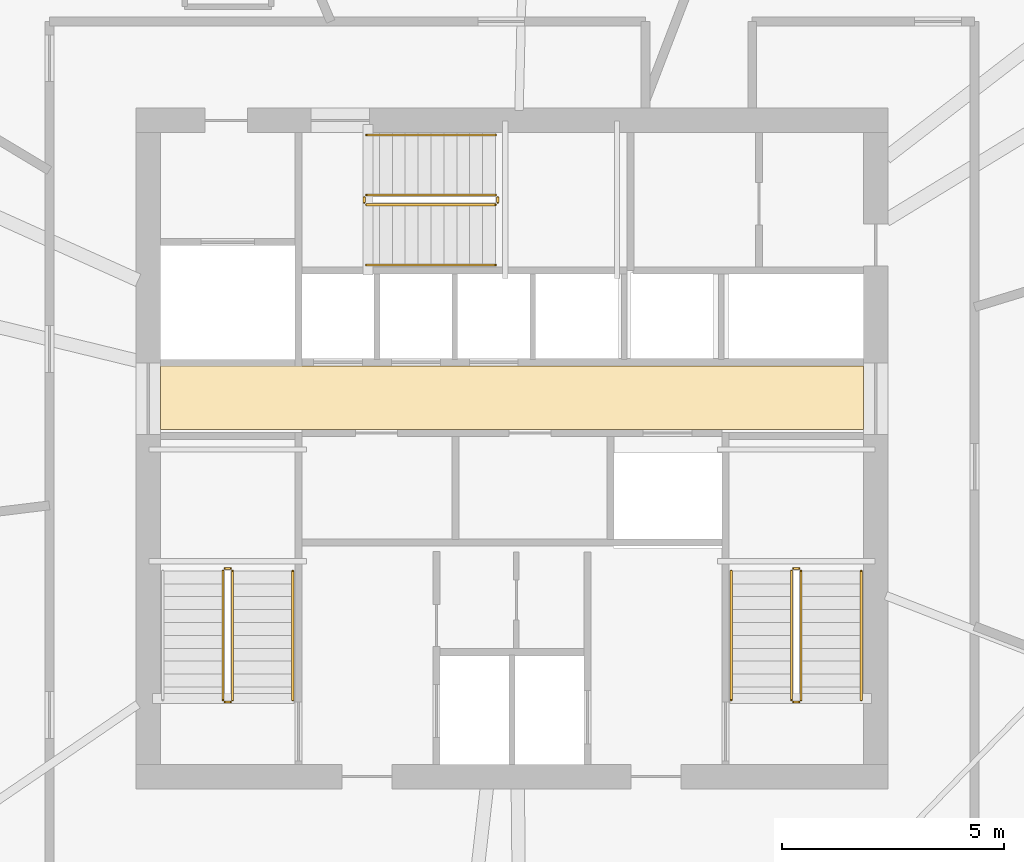
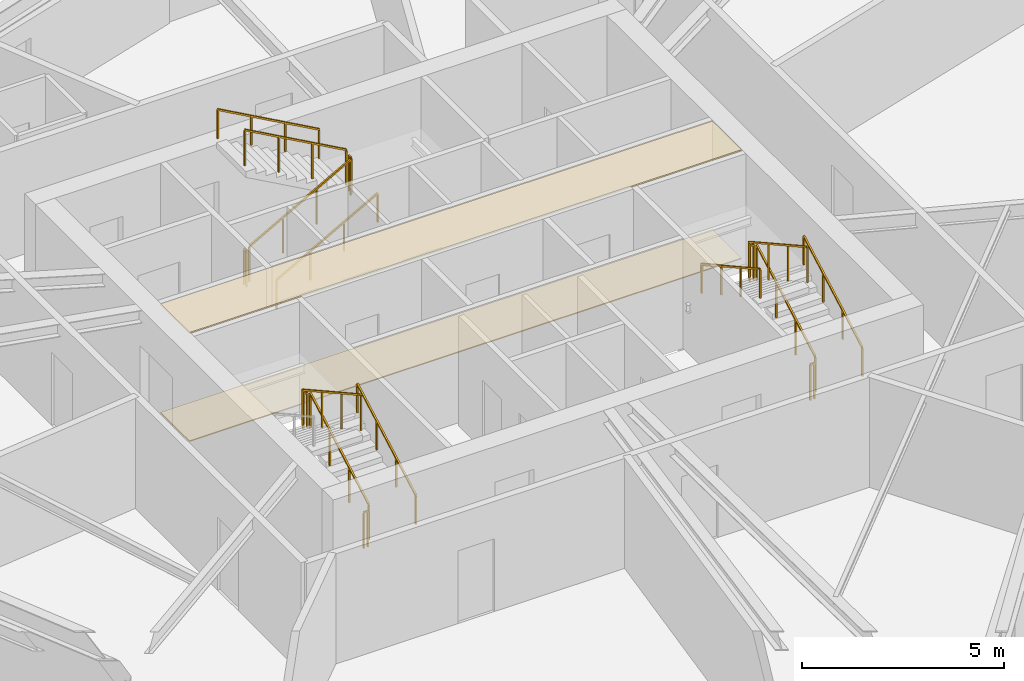
# One storey, part 12 of 13: 17 railings, 2 coverings.
"""IFC4 building model written with IfcOpenShell, lengths in metres."""

from ifc_helpers import new_model, si_unit, direction, frame, origin, origin_2d, place, context, subcontext, project, spatial, polyline, rectangle, outline, extrude, material, layer, layer_set, type_object, element, save


model = new_model("IFC4")

# Units and contexts
model_context = context("Model", 3, precision=1e-05, world=origin(), true_north=direction((0.0, 1.0)))
body_context = subcontext(model_context, "Body", "Model", "MODEL_VIEW")
ifc_project = project(units=[si_unit("LENGTHUNIT", "METRE"), si_unit("AREAUNIT", "SQUARE_METRE"), si_unit("VOLUMEUNIT", "CUBIC_METRE"), si_unit("PLANEANGLEUNIT", "RADIAN"), si_unit("MASSUNIT", "GRAM", prefix="KILO")], contexts=[model_context])

# Site, building, storey
site_placement = place(None, origin())
site = spatial("IfcSite", under=ifc_project, at=site_placement, CompositionType="ELEMENT")
building_placement = place(site_placement, origin())
building = spatial("IfcBuilding", under=site, at=building_placement, Name="Olszyna Solenne Hotel", CompositionType="ELEMENT")
storey_placement = place(building_placement, frame((0.0, 0.0, 171.449951171875)))
storey = spatial("IfcBuildingStorey", under=building, at=storey_placement, Name="L45", CompositionType="ELEMENT", Elevation=171.449951171875)

# Coverings
ifc_material_1 = material(Name="Mineral wool acoustic ceiling")
ifc_layer_1 = layer(ifc_material_1, 0.0400390625, Name="Mineral wool acoustic ceiling")
ifc_layer_set_1 = layer_set([ifc_layer_1], Name="Mineral wool acoustic ceiling")
covering_type_1 = type_object("IfcCoveringType", Name="CL-AC1", PredefinedType="CEILING", material=ifc_layer_set_1)
covering_1_placement = place(storey_placement, frame((0.0, 0.0, 3.27001953125)))
element("IfcCovering", 1, at=covering_1_placement, inside=storey, type_object=covering_type_1, Name="Lift lobby acoustic tile ceiling CL-L45-01", PredefinedType="CEILING", context=body_context, shape_type="SweptSolid", body=[
    extrude(outline(polyline([(30.10009765625, 27.030029296875), (45.89990234375, 27.030029296875), (45.89990234375, 28.4599609375), (30.10009765625, 28.4599609375), (30.10009765625, 27.030029296875)])), origin(), (0.0, 0.0, 1.0), 0.0400390625),
])
ifc_material_2 = material(Name="Ceramic floor tile")
ifc_layer_2 = layer(ifc_material_2, 0.030029296875, Name="Ceramic floor tile")
ifc_layer_set_2 = layer_set([ifc_layer_2], Name="Ceramic floor tile")
covering_type_2 = type_object("IfcCoveringType", Name="FL-TL1", PredefinedType="FLOORING", material=ifc_layer_set_2)
covering_2_placement = place(storey_placement, origin())
element("IfcCovering", 2, at=covering_2_placement, inside=storey, type_object=covering_type_2, Name="Lift lobby stoneware floor finish FLR-L45-01", PredefinedType="FLOORING", context=body_context, shape_type="SweptSolid", body=[
    extrude(outline(polyline([(30.10009765625, 27.030029296875), (45.89990234375, 27.030029296875), (45.89990234375, 28.4599609375), (30.10009765625, 28.4599609375), (30.10009765625, 27.030029296875)])), origin(), (0.0, 0.0, 1.0), 0.030029296875),
])

# Railings
ifc_material_3 = material(Name="Anodised bronze aluminium", Category="aluminium")
railing_type_1 = type_object("IfcRailingType", Name="GR-110", PredefinedType="BALUSTRADE", material=ifc_material_3)
railing_1_placement = place(storey_placement, frame((31.719970703125, 20.949951171875, 0.161376953125)))
element("IfcRailing", 3, at=railing_1_placement, inside=storey, type_object=railing_type_1, Name="L45 ST1 stair guard 1", PredefinedType="BALUSTRADE", context=body_context, shape_type="SweptSolid", body=[
    extrude(rectangle(XDim=0.048095703125, YDim=0.048095703125, at=origin_2d()), frame((0.0, 0.0, 1.076171875), z_axis=(0.0, 0.873827439584, 0.48623616261), x_axis=(-1.0, 0.0, 0.0)), (0.0, 0.0, 1.0), 3.31884765625),
    extrude(rectangle(XDim=0.0419921875, YDim=0.0419921875, at=origin_2d()), origin(), (0.0, 0.0, 1.0), 1.052001953125),
    extrude(rectangle(XDim=0.0419921875, YDim=0.0419921875, at=origin_2d()), frame((0.0, 0.966796875, 0.537841796875)), (0.0, 0.0, 1.0), 1.052001953125),
    extrude(rectangle(XDim=0.0419921875, YDim=0.0419921875, at=origin_2d()), frame((0.0, 1.933349609375, 1.075927734375)), (0.0, 0.0, 1.0), 1.052001953125),
    extrude(rectangle(XDim=0.0419921875, YDim=0.0419921875, at=origin_2d()), frame((0.0, 2.900146484375, 1.61376953125)), (0.0, 0.0, 1.0), 1.052001953125),
])
railing_2_placement = place(storey_placement, frame((31.669921875, 23.89990234375, 1.775146484375)))
element("IfcRailing", 4, at=railing_2_placement, inside=storey, type_object=railing_type_1, Name="L45 ST1 stair guard 2", PredefinedType="BALUSTRADE", context=body_context, shape_type="SweptSolid", body=[
    extrude(rectangle(XDim=0.048095703125, YDim=0.048095703125, at=origin_2d()), frame((0.0, 0.0, 1.076171875), z_axis=(-1.0, 0.0, 0.0), x_axis=(0.0, -1.0, 0.0)), (0.0, 0.0, 1.0), 0.119873046875),
    extrude(rectangle(XDim=0.0419921875, YDim=0.0419921875, at=origin_2d()), origin(), (0.0, 0.0, 1.0), 1.052001953125),
    extrude(rectangle(XDim=0.0419921875, YDim=0.0419921875, at=origin_2d()), frame((-0.119873046875, 0.0, 0.0)), (0.0, 0.0, 1.0), 1.052001953125),
])
railing_3_placement = place(storey_placement, frame((31.5, 23.85009765625, 1.9365234375)))
element("IfcRailing", 5, at=railing_3_placement, inside=storey, type_object=railing_type_1, Name="L45 ST1 stair guard 3", PredefinedType="BALUSTRADE", context=body_context, shape_type="SweptSolid", body=[
    extrude(rectangle(XDim=0.048095703125, YDim=0.048095703125, at=origin_2d()), frame((0.0, 0.0, 1.076171875), z_axis=(0.0, -0.873858693841, 0.486179990537), x_axis=(1.0, 0.0, 0.0)), (0.0, 0.0, 1.0), 3.31884765625),
    extrude(rectangle(XDim=0.0419921875, YDim=0.0419921875, at=origin_2d()), origin(), (0.0, 0.0, 1.0), 1.052001953125),
    extrude(rectangle(XDim=0.0419921875, YDim=0.0419921875, at=origin_2d()), frame((0.0, -0.966796875, 0.537841796875)), (0.0, 0.0, 1.0), 1.052001953125),
    extrude(rectangle(XDim=0.0419921875, YDim=0.0419921875, at=origin_2d()), frame((0.0, -1.933349609375, 1.07568359375)), (0.0, 0.0, 1.0), 1.052001953125),
    extrude(rectangle(XDim=0.0419921875, YDim=0.0419921875, at=origin_2d()), frame((0.0, -2.900146484375, 1.613525390625)), (0.0, 0.0, 1.0), 1.052001953125),
])
railing_4_placement = place(storey_placement, frame((31.669921875, 20.89990234375, 0.0)))
element("IfcRailing", 6, at=railing_4_placement, inside=storey, type_object=railing_type_1, Name="L45 ST1 stair guard 4", PredefinedType="BALUSTRADE", context=body_context, shape_type="SweptSolid", body=[
    extrude(rectangle(XDim=0.048095703125, YDim=0.048095703125, at=origin_2d()), frame((0.0, 0.0, 1.076171875), z_axis=(-1.0, 0.0, 0.0), x_axis=(0.0, -1.0, 0.0)), (0.0, 0.0, 1.0), 0.119873046875),
    extrude(rectangle(XDim=0.0419921875, YDim=0.0419921875, at=origin_2d()), origin(), (0.0, 0.0, 1.0), 1.052001953125),
    extrude(rectangle(XDim=0.0419921875, YDim=0.0419921875, at=origin_2d()), frame((-0.119873046875, 0.0, 0.0)), (0.0, 0.0, 1.0), 1.052001953125),
])
railing_5_placement = place(storey_placement, frame((44.5, 20.949951171875, 0.161376953125)))
element("IfcRailing", 7, at=railing_5_placement, inside=storey, type_object=railing_type_1, Name="L45 ST2 stair guard 1", PredefinedType="BALUSTRADE", context=body_context, shape_type="SweptSolid", body=[
    extrude(rectangle(XDim=0.048095703125, YDim=0.048095703125, at=origin_2d()), frame((0.0, 0.0, 1.076171875), z_axis=(0.0, 0.873827439584, 0.48623616261), x_axis=(-1.0, 0.0, 0.0)), (0.0, 0.0, 1.0), 3.31884765625),
    extrude(rectangle(XDim=0.0419921875, YDim=0.0419921875, at=origin_2d()), origin(), (0.0, 0.0, 1.0), 1.052001953125),
    extrude(rectangle(XDim=0.0419921875, YDim=0.0419921875, at=origin_2d()), frame((0.0, 0.966796875, 0.537841796875)), (0.0, 0.0, 1.0), 1.052001953125),
    extrude(rectangle(XDim=0.0419921875, YDim=0.0419921875, at=origin_2d()), frame((0.0, 1.933349609375, 1.075927734375)), (0.0, 0.0, 1.0), 1.052001953125),
    extrude(rectangle(XDim=0.0419921875, YDim=0.0419921875, at=origin_2d()), frame((0.0, 2.900146484375, 1.61376953125)), (0.0, 0.0, 1.0), 1.052001953125),
])
railing_6_placement = place(storey_placement, frame((44.449951171875, 23.89990234375, 1.775146484375)))
element("IfcRailing", 8, at=railing_6_placement, inside=storey, type_object=railing_type_1, Name="L45 ST2 stair guard 2", PredefinedType="BALUSTRADE", context=body_context, shape_type="SweptSolid", body=[
    extrude(rectangle(XDim=0.048095703125, YDim=0.048095703125, at=origin_2d()), frame((0.0, 0.0, 1.076171875), z_axis=(-1.0, 0.0, 0.0), x_axis=(0.0, -1.0, 0.0)), (0.0, 0.0, 1.0), 0.119873046875),
    extrude(rectangle(XDim=0.0419921875, YDim=0.0419921875, at=origin_2d()), origin(), (0.0, 0.0, 1.0), 1.052001953125),
    extrude(rectangle(XDim=0.0419921875, YDim=0.0419921875, at=origin_2d()), frame((-0.119873046875, 0.0, 0.0)), (0.0, 0.0, 1.0), 1.052001953125),
])
railing_7_placement = place(storey_placement, frame((44.280029296875, 23.85009765625, 1.9365234375)))
element("IfcRailing", 9, at=railing_7_placement, inside=storey, type_object=railing_type_1, Name="L45 ST2 stair guard 3", PredefinedType="BALUSTRADE", context=body_context, shape_type="SweptSolid", body=[
    extrude(rectangle(XDim=0.048095703125, YDim=0.048095703125, at=origin_2d()), frame((0.0, 0.0, 1.076171875), z_axis=(0.0, -0.873858693841, 0.486179990537), x_axis=(1.0, 0.0, 0.0)), (0.0, 0.0, 1.0), 3.31884765625),
    extrude(rectangle(XDim=0.0419921875, YDim=0.0419921875, at=origin_2d()), origin(), (0.0, 0.0, 1.0), 1.052001953125),
    extrude(rectangle(XDim=0.0419921875, YDim=0.0419921875, at=origin_2d()), frame((0.0, -0.966796875, 0.537841796875)), (0.0, 0.0, 1.0), 1.052001953125),
    extrude(rectangle(XDim=0.0419921875, YDim=0.0419921875, at=origin_2d()), frame((0.0, -1.933349609375, 1.07568359375)), (0.0, 0.0, 1.0), 1.052001953125),
    extrude(rectangle(XDim=0.0419921875, YDim=0.0419921875, at=origin_2d()), frame((0.0, -2.900146484375, 1.613525390625)), (0.0, 0.0, 1.0), 1.052001953125),
])
railing_8_placement = place(storey_placement, frame((44.449951171875, 20.89990234375, 0.0)))
element("IfcRailing", 10, at=railing_8_placement, inside=storey, type_object=railing_type_1, Name="L45 ST2 stair guard 4", PredefinedType="BALUSTRADE", context=body_context, shape_type="SweptSolid", body=[
    extrude(rectangle(XDim=0.048095703125, YDim=0.048095703125, at=origin_2d()), frame((0.0, 0.0, 1.076171875), z_axis=(-1.0, 0.0, 0.0), x_axis=(0.0, -1.0, 0.0)), (0.0, 0.0, 1.0), 0.119873046875),
    extrude(rectangle(XDim=0.0419921875, YDim=0.0419921875, at=origin_2d()), origin(), (0.0, 0.0, 1.0), 1.052001953125),
    extrude(rectangle(XDim=0.0419921875, YDim=0.0419921875, at=origin_2d()), frame((-0.119873046875, 0.0, 0.0)), (0.0, 0.0, 1.0), 1.052001953125),
])
railing_9_placement = place(storey_placement, frame((34.72998046875, 32.080078125, 0.161376953125)))
element("IfcRailing", 11, at=railing_9_placement, inside=storey, type_object=railing_type_1, Name="L45 ST3 stair guard 1", PredefinedType="BALUSTRADE", context=body_context, shape_type="SweptSolid", body=[
    extrude(rectangle(XDim=0.048095703125, YDim=0.048095703125, at=origin_2d()), frame((0.0, 0.0, 1.076171875), z_axis=(0.873810046276, 0.0, 0.486267419253), x_axis=(0.0, 1.0, 0.0)), (0.0, 0.0, 1.0), 3.318603515625),
    extrude(rectangle(XDim=0.0419921875, YDim=0.0419921875, at=origin_2d()), origin(), (0.0, 0.0, 1.0), 1.052001953125),
    extrude(rectangle(XDim=0.0419921875, YDim=0.0419921875, at=origin_2d()), frame((0.966552734375, 0.0, 0.537841796875)), (0.0, 0.0, 1.0), 1.052001953125),
    extrude(rectangle(XDim=0.0419921875, YDim=0.0419921875, at=origin_2d()), frame((1.933349609375, 0.0, 1.075927734375)), (0.0, 0.0, 1.0), 1.052001953125),
    extrude(rectangle(XDim=0.0419921875, YDim=0.0419921875, at=origin_2d()), frame((2.89990234375, 0.0, 1.61376953125)), (0.0, 0.0, 1.0), 1.052001953125),
])
railing_10_placement = place(storey_placement, frame((37.679931640625, 32.1298828125, 1.775146484375)))
element("IfcRailing", 12, at=railing_10_placement, inside=storey, type_object=railing_type_1, Name="L45 ST3 stair guard 2", PredefinedType="BALUSTRADE", context=body_context, shape_type="SweptSolid", body=[
    extrude(rectangle(XDim=0.048095703125, YDim=0.048095703125, at=origin_2d()), frame((0.0, 0.0, 1.076171875), z_axis=(0.0, 1.0, 0.0), x_axis=(-1.0, 0.0, 0.0)), (0.0, 0.0, 1.0), 0.1201171875),
    extrude(rectangle(XDim=0.0419921875, YDim=0.0419921875, at=origin_2d()), origin(), (0.0, 0.0, 1.0), 1.052001953125),
    extrude(rectangle(XDim=0.0419921875, YDim=0.0419921875, at=origin_2d()), frame((0.0, 0.1201171875, 0.0)), (0.0, 0.0, 1.0), 1.052001953125),
])
railing_11_placement = place(storey_placement, frame((37.6298828125, 32.300048828125, 1.9365234375)))
element("IfcRailing", 13, at=railing_11_placement, inside=storey, type_object=railing_type_1, Name="L45 ST3 stair guard 3", PredefinedType="BALUSTRADE", context=body_context, shape_type="SweptSolid", body=[
    extrude(rectangle(XDim=0.048095703125, YDim=0.048095703125, at=origin_2d()), frame((0.0, 0.0, 1.076171875), z_axis=(-0.873841303929, 0.0, 0.486211245805), x_axis=(0.0, -1.0, 0.0)), (0.0, 0.0, 1.0), 3.318603515625),
    extrude(rectangle(XDim=0.0419921875, YDim=0.0419921875, at=origin_2d()), origin(), (0.0, 0.0, 1.0), 1.052001953125),
    extrude(rectangle(XDim=0.0419921875, YDim=0.0419921875, at=origin_2d()), frame((-0.966552734375, 0.0, 0.537841796875)), (0.0, 0.0, 1.0), 1.052001953125),
    extrude(rectangle(XDim=0.0419921875, YDim=0.0419921875, at=origin_2d()), frame((-1.933349609375, 0.0, 1.07568359375)), (0.0, 0.0, 1.0), 1.052001953125),
    extrude(rectangle(XDim=0.0419921875, YDim=0.0419921875, at=origin_2d()), frame((-2.89990234375, 0.0, 1.613525390625)), (0.0, 0.0, 1.0), 1.052001953125),
])
railing_12_placement = place(storey_placement, frame((34.679931640625, 32.1298828125, 0.0)))
element("IfcRailing", 14, at=railing_12_placement, inside=storey, type_object=railing_type_1, Name="L45 ST3 stair guard 4", PredefinedType="BALUSTRADE", context=body_context, shape_type="SweptSolid", body=[
    extrude(rectangle(XDim=0.048095703125, YDim=0.048095703125, at=origin_2d()), frame((0.0, 0.0, 1.076171875), z_axis=(0.0, 1.0, 0.0), x_axis=(-1.0, 0.0, 0.0)), (0.0, 0.0, 1.0), 0.1201171875),
    extrude(rectangle(XDim=0.0419921875, YDim=0.0419921875, at=origin_2d()), origin(), (0.0, 0.0, 1.0), 1.052001953125),
    extrude(rectangle(XDim=0.0419921875, YDim=0.0419921875, at=origin_2d()), frame((0.0, 0.1201171875, 0.0)), (0.0, 0.0, 1.0), 1.052001953125),
])
ifc_material_4 = material(Name="Steel S355J2", Category="steel")
railing_type_2 = type_object("IfcRailingType", Name="HR-090", PredefinedType="HANDRAIL", material=ifc_material_4)
for number, where, name in (
    (15, (33.070068359375, 20.949951171875, 0.161376953125), "L45 ST1 stair handrail 1"),
    (16, (45.85009765625, 20.949951171875, 0.161376953125), "L45 ST2 stair handrail 1"),
):
    element("IfcRailing", number, at=place(storey_placement, frame(where)), inside=storey, type_object=railing_type_2, Name=name, PredefinedType="HANDRAIL", context=body_context, shape_type="SweptSolid", body=[
        extrude(rectangle(XDim=0.048095703125, YDim=0.048095703125, at=origin_2d()), frame((0.0, 0.0, 0.8759765625), z_axis=(0.0, 0.873827439584, 0.48623616261), x_axis=(-1.0, 0.0, 0.0)), (0.0, 0.0, 1.0), 3.31884765625),
        extrude(rectangle(XDim=0.0419921875, YDim=0.0419921875, at=origin_2d()), origin(), (0.0, 0.0, 1.0), 0.851806640625),
        extrude(rectangle(XDim=0.0419921875, YDim=0.0419921875, at=origin_2d()), frame((0.0, 0.966796875, 0.537841796875)), (0.0, 0.0, 1.0), 0.851806640625),
        extrude(rectangle(XDim=0.0419921875, YDim=0.0419921875, at=origin_2d()), frame((0.0, 1.933349609375, 1.075927734375)), (0.0, 0.0, 1.0), 0.851806640625),
        extrude(rectangle(XDim=0.0419921875, YDim=0.0419921875, at=origin_2d()), frame((0.0, 2.900146484375, 1.61376953125)), (0.0, 0.0, 1.0), 0.851806640625),
    ])
railing_13_placement = place(storey_placement, frame((42.929931640625, 23.85009765625, 1.9365234375)))
element("IfcRailing", 17, at=railing_13_placement, inside=storey, type_object=railing_type_2, Name="L45 ST2 stair handrail 2", PredefinedType="HANDRAIL", context=body_context, shape_type="SweptSolid", body=[
    extrude(rectangle(XDim=0.048095703125, YDim=0.048095703125, at=origin_2d()), frame((0.0, 0.0, 0.8759765625), z_axis=(0.0, -0.873858693841, 0.486179990537), x_axis=(1.0, 0.0, 0.0)), (0.0, 0.0, 1.0), 3.31884765625),
    extrude(rectangle(XDim=0.0419921875, YDim=0.0419921875, at=origin_2d()), origin(), (0.0, 0.0, 1.0), 0.851806640625),
    extrude(rectangle(XDim=0.0419921875, YDim=0.0419921875, at=origin_2d()), frame((0.0, -0.966796875, 0.537841796875)), (0.0, 0.0, 1.0), 0.851806640625),
    extrude(rectangle(XDim=0.0419921875, YDim=0.0419921875, at=origin_2d()), frame((0.0, -1.933349609375, 1.07568359375)), (0.0, 0.0, 1.0), 0.851806640625),
    extrude(rectangle(XDim=0.0419921875, YDim=0.0419921875, at=origin_2d()), frame((0.0, -2.900146484375, 1.613525390625)), (0.0, 0.0, 1.0), 0.851806640625),
])
railing_14_placement = place(storey_placement, frame((34.72998046875, 30.72998046875, 0.161376953125)))
element("IfcRailing", 18, at=railing_14_placement, inside=storey, type_object=railing_type_2, Name="L45 ST3 stair handrail 1", PredefinedType="HANDRAIL", context=body_context, shape_type="SweptSolid", body=[
    extrude(rectangle(XDim=0.048095703125, YDim=0.048095703125, at=origin_2d()), frame((0.0, 0.0, 0.8759765625), z_axis=(0.873810046276, 0.0, 0.486267419253), x_axis=(0.0, 1.0, 0.0)), (0.0, 0.0, 1.0), 3.318603515625),
    extrude(rectangle(XDim=0.0419921875, YDim=0.0419921875, at=origin_2d()), origin(), (0.0, 0.0, 1.0), 0.851806640625),
    extrude(rectangle(XDim=0.0419921875, YDim=0.0419921875, at=origin_2d()), frame((0.966552734375, 0.0, 0.537841796875)), (0.0, 0.0, 1.0), 0.851806640625),
    extrude(rectangle(XDim=0.0419921875, YDim=0.0419921875, at=origin_2d()), frame((1.933349609375, 0.0, 1.075927734375)), (0.0, 0.0, 1.0), 0.851806640625),
    extrude(rectangle(XDim=0.0419921875, YDim=0.0419921875, at=origin_2d()), frame((2.89990234375, 0.0, 1.61376953125)), (0.0, 0.0, 1.0), 0.851806640625),
])
railing_15_placement = place(storey_placement, frame((37.6298828125, 33.64990234375, 1.9365234375)))
element("IfcRailing", 19, at=railing_15_placement, inside=storey, type_object=railing_type_2, Name="L45 ST3 stair handrail 2", PredefinedType="HANDRAIL", context=body_context, shape_type="SweptSolid", body=[
    extrude(rectangle(XDim=0.048095703125, YDim=0.048095703125, at=origin_2d()), frame((0.0, 0.0, 0.8759765625), z_axis=(-0.873841303929, 0.0, 0.486211245805), x_axis=(0.0, -1.0, 0.0)), (0.0, 0.0, 1.0), 3.318603515625),
    extrude(rectangle(XDim=0.0419921875, YDim=0.0419921875, at=origin_2d()), origin(), (0.0, 0.0, 1.0), 0.851806640625),
    extrude(rectangle(XDim=0.0419921875, YDim=0.0419921875, at=origin_2d()), frame((-0.966552734375, 0.0, 0.537841796875)), (0.0, 0.0, 1.0), 0.851806640625),
    extrude(rectangle(XDim=0.0419921875, YDim=0.0419921875, at=origin_2d()), frame((-1.933349609375, 0.0, 1.07568359375)), (0.0, 0.0, 1.0), 0.851806640625),
    extrude(rectangle(XDim=0.0419921875, YDim=0.0419921875, at=origin_2d()), frame((-2.89990234375, 0.0, 1.613525390625)), (0.0, 0.0, 1.0), 0.851806640625),
])

save(model, "model.ifc")
